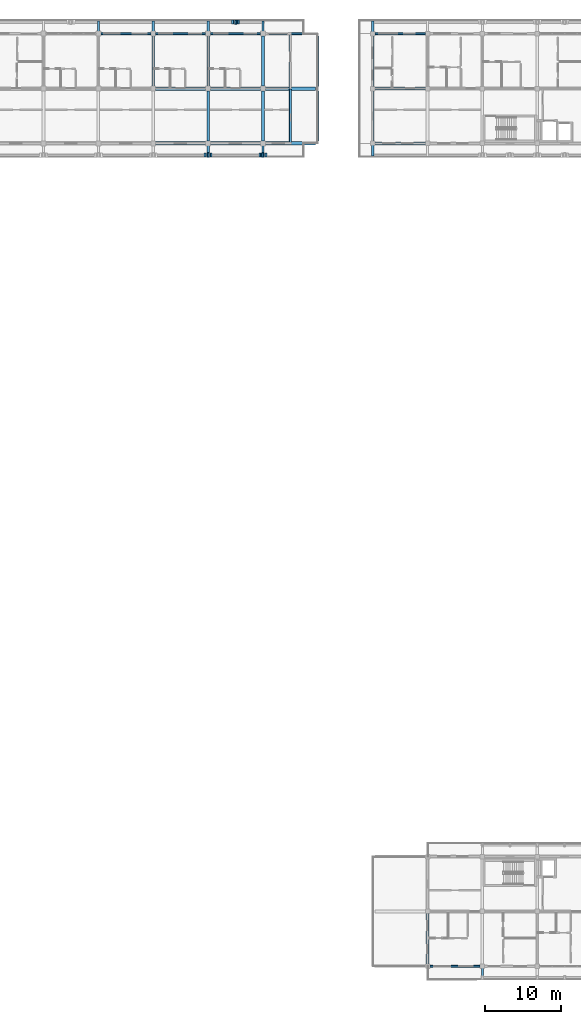
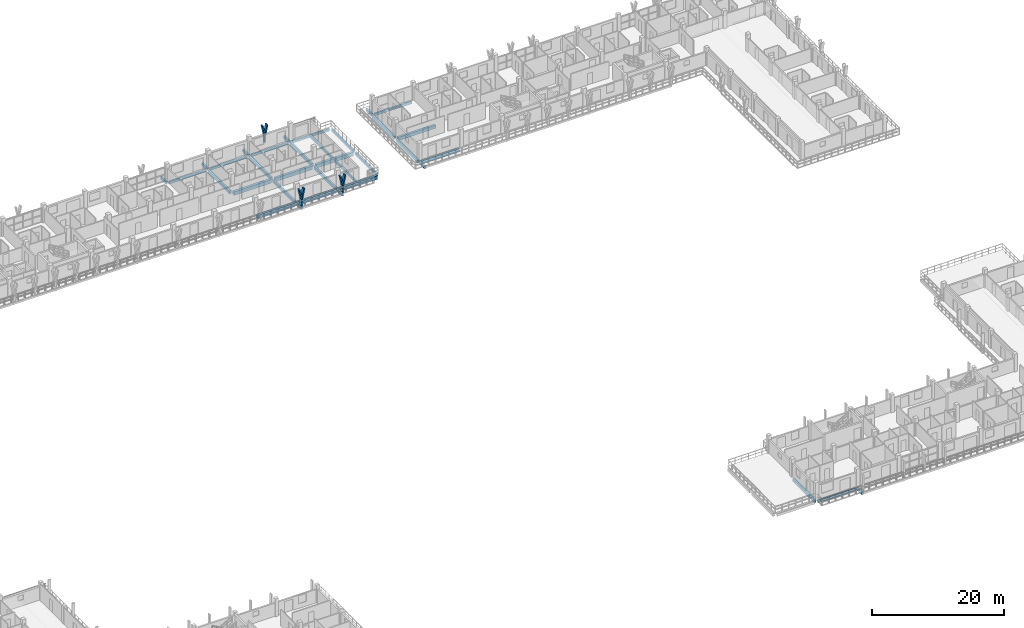
# One storey, part 21 of 75: 35 beams, 9 members.
"""IFC4 building model written with IfcOpenShell, lengths in metres."""

from ifc_helpers import new_model, si_unit, direction, frame, origin, origin_2d, place, context, subcontext, project, spatial, rectangle, extrude, material, material_profile, profile_set, type_object, element, save


model = new_model("IFC4")

# Units and contexts
model_context = context("Model", 3, precision=1e-05, world=origin(), true_north=direction((0.0, 1.0)))
body_context = subcontext(model_context, "Body", "Model", "MODEL_VIEW")
ifc_project = project(units=[si_unit("LENGTHUNIT", "METRE"), si_unit("AREAUNIT", "SQUARE_METRE"), si_unit("VOLUMEUNIT", "CUBIC_METRE"), si_unit("PLANEANGLEUNIT", "RADIAN"), si_unit("MASSUNIT", "GRAM", prefix="KILO")], contexts=[model_context])

# Site, building, storey
site_placement = place(None, origin())
site = spatial("IfcSite", under=ifc_project, at=site_placement, CompositionType="ELEMENT")
building_placement = place(site_placement, origin())
building = spatial("IfcBuilding", under=site, at=building_placement, Name="Suanplinth Sawtooth Commons", CompositionType="ELEMENT")
storey_placement = place(building_placement, frame((0.0, 0.0, 18.60009765625)))
storey = spatial("IfcBuildingStorey", under=building, at=storey_placement, Name="L05", CompositionType="ELEMENT", Elevation=18.60009765625)

# Beams
ifc_material_1 = material(Name="Precast concrete C40/50", Category="concrete")
ifc_material_profile_1 = material_profile(ifc_material_1, rectangle(XDim=0.449951171875, YDim=0.64990234375, at=origin_2d()), Name="PC-GDR 450x650")
ifc_profile_set_1 = profile_set([ifc_material_profile_1], Name="Precast concrete C40/50")
beam_type_1 = type_object("IfcBeamType", Name="B-04", PredefinedType="USERDEFINED", material=ifc_profile_set_1)
for number, where, z_axis, x_axis, name in (
    (1, (93.925048828125, 108.0, -0.5751953125), (1.0, 0.0, 0.0), (0.0, 1.0, 0.0), "BMX-L05-A-13-15"),
    (2, (93.925048828125, 115.199951171875, -0.5751953125), (1.0, 0.0, 0.0), (0.0, 1.0, 0.0), "BMX-L05-A-13-16"),
    (3, (101.125, 108.0, -0.5751953125), (1.0, 0.0, 0.0), (0.0, 1.0, 0.0), "BMX-L05-A-14-15"),
    (4, (101.125, 115.199951171875, -0.5751953125), (1.0, 0.0, 0.0), (0.0, 1.0, 0.0), "BMX-L05-A-14-16"),
    (5, (108.324951171875, 108.0, -0.5751953125), (1.0, 0.0, 0.0), (0.0, 1.0, 0.0), "BMX-L05-A-15-15"),
    (6, (108.324951171875, 115.199951171875, -0.5751953125), (1.0, 0.0, 0.0), (0.0, 1.0, 0.0), "BMX-L05-A-15-16"),
):
    element("IfcBeam", number, at=place(storey_placement, frame(where, z_axis=z_axis, x_axis=x_axis)), inside=storey, type_object=beam_type_1, Name=name, ObjectType="GIRDER", PredefinedType="USERDEFINED", context=body_context, shape_type="SweptSolid", body=[
        extrude(rectangle(XDim=0.449951171875, YDim=0.64990234375, at=origin_2d()), origin(), (0.0, 0.0, 1.0), 6.550048828125),
    ])
ifc_material_profile_2 = material_profile(ifc_material_1, rectangle(XDim=0.39990234375, YDim=0.60009765625, at=origin_2d()), Name="PC-GDR 400x600")
ifc_profile_set_2 = profile_set([ifc_material_profile_2], Name="Precast concrete C40/50")
beam_type_2 = type_object("IfcBeamType", Name="B-05", PredefinedType="USERDEFINED", material=ifc_profile_set_2)
for number, where, z_axis, x_axis, name in (
    (7, (122.699951171875, 108.0, -0.550048828125), (1.0, 0.0, 0.0), (0.0, 1.0, 0.0), "BMX-L05-B-17-15"),
    (8, (122.699951171875, 115.199951171875, -0.550048828125), (1.0, 0.0, 0.0), (0.0, 1.0, 0.0), "BMX-L05-B-17-16"),
):
    element("IfcBeam", number, at=place(storey_placement, frame(where, z_axis=z_axis, x_axis=x_axis)), inside=storey, type_object=beam_type_2, Name=name, ObjectType="GIRDER", PredefinedType="USERDEFINED", context=body_context, shape_type="SweptSolid", body=[
        extrude(rectangle(XDim=0.39990234375, YDim=0.60009765625, at=origin_2d()), origin(), (0.0, 0.0, 1.0), 6.60009765625),
    ])
ifc_material_profile_3 = material_profile(ifc_material_1, rectangle(XDim=0.35009765625, YDim=0.550048828125, at=origin_2d()), Name="PC-BM 350x550")
ifc_profile_set_3 = profile_set([ifc_material_profile_3], Name="Precast concrete C40/50")
beam_type_3 = type_object("IfcBeamType", Name="B-06", PredefinedType="BEAM", material=ifc_profile_set_3)
for number, where, z_axis, x_axis, name in (
    (9, (93.60009765625, 115.52490234375, -0.525146484375), (0.0, 1.0, 0.0), (-1.0, 0.0, 0.0), "BMY-L05-A-13-16"),
    (10, (100.800048828125, 108.324951171875, -0.525146484375), (0.0, 1.0, 0.0), (-1.0, 0.0, 0.0), "BMY-L05-A-14-15"),
    (11, (100.800048828125, 115.52490234375, -0.525146484375), (0.0, 1.0, 0.0), (-1.0, 0.0, 0.0), "BMY-L05-A-14-16"),
    (12, (108.0, 108.324951171875, -0.525146484375), (0.0, 1.0, 0.0), (-1.0, 0.0, 0.0), "BMY-L05-A-15-15"),
    (13, (108.0, 115.52490234375, -0.525146484375), (0.0, 1.0, 0.0), (-1.0, 0.0, 0.0), "BMY-L05-A-15-16"),
):
    element("IfcBeam", number, at=place(storey_placement, frame(where, z_axis=z_axis, x_axis=x_axis)), inside=storey, type_object=beam_type_3, Name=name, PredefinedType="BEAM", context=body_context, shape_type="SweptSolid", body=[
        extrude(rectangle(XDim=0.35009765625, YDim=0.550048828125, at=origin_2d()), origin(), (0.0, 0.0, 1.0), 6.550048828125),
    ])
beam_1_placement = place(storey_placement, frame((122.39990234375, 108.300048828125, -0.525146484375), z_axis=(0.0, 1.0, 0.0), x_axis=(-1.0, 0.0, 0.0)))
element("IfcBeam", 14, at=beam_1_placement, inside=storey, type_object=beam_type_3, Name="BMY-L05-B-17-15", PredefinedType="BEAM", context=body_context, shape_type="SweptSolid", body=[
    extrude(rectangle(XDim=0.35009765625, YDim=0.550048828125, at=origin_2d()), origin(), (0.0, 0.0, 1.0), 6.599853515625),
])
beam_2_placement = place(storey_placement, frame((122.39990234375, 115.5, -0.525146484375), z_axis=(0.0, 1.0, 0.0), x_axis=(-1.0, 0.0, 0.0)))
element("IfcBeam", 15, at=beam_2_placement, inside=storey, type_object=beam_type_3, Name="BMY-L05-B-17-16", PredefinedType="BEAM", context=body_context, shape_type="SweptSolid", body=[
    extrude(rectangle(XDim=0.35009765625, YDim=0.550048828125, at=origin_2d()), origin(), (0.0, 0.0, 1.0), 6.60009765625),
])
beam_3_placement = place(storey_placement, frame((129.60009765625, 0.300048828125, -0.525146484375), z_axis=(0.0, 1.0, 0.0), x_axis=(-1.0, 0.0, 0.0)))
element("IfcBeam", 16, at=beam_3_placement, inside=storey, type_object=beam_type_3, Name="BMY-L05-C-18-0", PredefinedType="BEAM", context=body_context, shape_type="SweptSolid", body=[
    extrude(rectangle(XDim=0.35009765625, YDim=0.550048828125, at=origin_2d()), origin(), (0.0, 0.0, 1.0), 6.599853515625),
])
ifc_material_profile_4 = material_profile(ifc_material_1, rectangle(XDim=0.300048828125, YDim=0.5, at=origin_2d()), Name="PC-BM 300x500")
ifc_profile_set_4 = profile_set([ifc_material_profile_4], Name="Precast concrete C40/50")
beam_type_4 = type_object("IfcBeamType", Name="B-07", PredefinedType="BEAM", material=ifc_profile_set_4)
for number, where, z_axis, x_axis, name in (
    (17, (86.39990234375, 122.39990234375, -0.43017578125), (0.0, 1.0, 0.0), (-1.0, 0.0, 0.0), "Balcony Outrigger L05-A-N-12"),
    (18, (93.60009765625, 122.39990234375, -0.43017578125), (0.0, 1.0, 0.0), (-1.0, 0.0, 0.0), "Balcony Outrigger L05-A-N-13"),
    (19, (100.800048828125, 122.39990234375, -0.43017578125), (0.0, 1.0, 0.0), (-1.0, 0.0, 0.0), "Balcony Outrigger L05-A-N-14"),
    (20, (108.0, 122.39990234375, -0.43017578125), (0.0, 1.0, 0.0), (-1.0, 0.0, 0.0), "Balcony Outrigger L05-A-N-15"),
):
    element("IfcBeam", number, at=place(storey_placement, frame(where, z_axis=z_axis, x_axis=x_axis)), inside=storey, type_object=beam_type_4, Name=name, PredefinedType="BEAM", context=body_context, shape_type="SweptSolid", body=[
        extrude(rectangle(XDim=0.300048828125, YDim=0.5, at=origin_2d()), origin(), (0.0, 0.0, 1.0), 1.64013671875),
    ])
for number, where, z_axis, x_axis, name in (
    (21, (100.800048828125, 108.0, -0.43017578125), (0.0, -1.0, 0.0), (1.0, 0.0, 0.0), "Balcony Outrigger L05-A-S-14"),
    (22, (108.0, 108.0, -0.43017578125), (0.0, -1.0, 0.0), (1.0, 0.0, 0.0), "Balcony Outrigger L05-A-S-15"),
):
    element("IfcBeam", number, at=place(storey_placement, frame(where, z_axis=z_axis, x_axis=x_axis)), inside=storey, type_object=beam_type_4, Name=name, PredefinedType="BEAM", context=body_context, shape_type="SweptSolid", body=[
        extrude(rectangle(XDim=0.300048828125, YDim=0.5, at=origin_2d()), origin(), (0.0, 0.0, 1.0), 1.639892578125),
    ])
beam_4_placement = place(storey_placement, frame((122.39990234375, 122.39990234375, -0.43017578125), z_axis=(0.0, 1.0, 0.0), x_axis=(-1.0, 0.0, 0.0)))
element("IfcBeam", 23, at=beam_4_placement, inside=storey, type_object=beam_type_4, Name="Balcony Outrigger L05-B-N-17", PredefinedType="BEAM", context=body_context, shape_type="SweptSolid", body=[
    extrude(rectangle(XDim=0.300048828125, YDim=0.5, at=origin_2d()), origin(), (0.0, 0.0, 1.0), 1.64013671875),
])
for number, where, z_axis, x_axis, name in (
    (24, (122.39990234375, 108.0, -0.425048828125), (0.0, -1.0, 0.0), (1.0, 0.0, 0.0), "Balcony Outrigger L05-B-SC-17"),
    (25, (136.800048828125, 0.0, -0.43017578125), (0.0, -1.0, 0.0), (1.0, 0.0, 0.0), "Balcony Outrigger L05-C-S-19"),
):
    element("IfcBeam", number, at=place(storey_placement, frame(where, z_axis=z_axis, x_axis=x_axis)), inside=storey, type_object=beam_type_4, Name=name, PredefinedType="BEAM", context=body_context, shape_type="SweptSolid", body=[
        extrude(rectangle(XDim=0.300048828125, YDim=0.5, at=origin_2d()), origin(), (0.0, 0.0, 1.0), 1.639892578125),
    ])
ifc_material_profile_5 = material_profile(ifc_material_1, rectangle(XDim=0.25, YDim=0.449951171875, at=origin_2d()), Name="PC-SP 250x450")
ifc_profile_set_5 = profile_set([ifc_material_profile_5], Name="Precast concrete C40/50")
beam_type_5 = type_object("IfcBeamType", Name="B-09", PredefinedType="SPANDREL", material=ifc_profile_set_5)
beam_5_placement = place(storey_placement, frame((86.72509765625, 122.39990234375, -0.47509765625), z_axis=(1.0, 0.0, 0.0), x_axis=(0.0, 1.0, 0.0)))
element("IfcBeam", 26, at=beam_5_placement, inside=storey, type_object=beam_type_5, Name="BMX-L05-A-12-17", PredefinedType="SPANDREL", context=body_context, shape_type="SweptSolid", body=[
    extrude(rectangle(XDim=0.25, YDim=0.449951171875, at=origin_2d()), origin(), (0.0, 0.0, 1.0), 6.5498046875),
])
for number, where, z_axis, x_axis, name in (
    (27, (93.925048828125, 122.39990234375, -0.47509765625), (1.0, 0.0, 0.0), (0.0, 1.0, 0.0), "BMX-L05-A-13-17"),
    (28, (101.125, 122.39990234375, -0.47509765625), (1.0, 0.0, 0.0), (0.0, 1.0, 0.0), "BMX-L05-A-14-17"),
    (29, (108.324951171875, 122.39990234375, -0.47509765625), (1.0, 0.0, 0.0), (0.0, 1.0, 0.0), "BMX-L05-A-15-17"),
    (30, (115.199951171875, 108.324951171875, -0.47509765625), (0.0, 1.0, 0.0), (-1.0, 0.0, 0.0), "BMY-L05-A-16-15"),
    (31, (115.199951171875, 115.52490234375, -0.47509765625), (0.0, 1.0, 0.0), (-1.0, 0.0, 0.0), "BMY-L05-A-16-16"),
):
    element("IfcBeam", number, at=place(storey_placement, frame(where, z_axis=z_axis, x_axis=x_axis)), inside=storey, type_object=beam_type_5, Name=name, PredefinedType="SPANDREL", context=body_context, shape_type="SweptSolid", body=[
        extrude(rectangle(XDim=0.25, YDim=0.449951171875, at=origin_2d()), origin(), (0.0, 0.0, 1.0), 6.550048828125),
    ])
beam_6_placement = place(storey_placement, frame((111.60009765625, 108.139892578125, -0.5751953125), z_axis=(0.0, 1.0, 0.0), x_axis=(-1.0, 0.0, 0.0)))
element("IfcBeam", 32, at=beam_6_placement, inside=storey, type_object=beam_type_5, Name="BMY-L05-A-STEP-1116-15", PredefinedType="SPANDREL", context=body_context, shape_type="SweptSolid", body=[
    extrude(rectangle(XDim=0.25, YDim=0.449951171875, at=origin_2d()), origin(), (0.0, 0.0, 1.0), 6.980224609375),
])
beam_7_placement = place(storey_placement, frame((111.60009765625, 115.340087890625, -0.5751953125), z_axis=(0.0, 1.0, 0.0), x_axis=(-1.0, 0.0, 0.0)))
element("IfcBeam", 33, at=beam_7_placement, inside=storey, type_object=beam_type_5, Name="BMY-L05-A-STEP-1116-16", PredefinedType="SPANDREL", context=body_context, shape_type="SweptSolid", body=[
    extrude(rectangle(XDim=0.25, YDim=0.449951171875, at=origin_2d()), origin(), (0.0, 0.0, 1.0), 6.97998046875),
])
for number, where, z_axis, x_axis, name in (
    (34, (122.699951171875, 122.39990234375, -0.47509765625), (1.0, 0.0, 0.0), (0.0, 1.0, 0.0), "BMX-L05-B-17-17"),
    (35, (129.89990234375, 0.0, -0.47509765625), (1.0, 0.0, 0.0), (0.0, 1.0, 0.0), "BMX-L05-C-18-0"),
):
    element("IfcBeam", number, at=place(storey_placement, frame(where, z_axis=z_axis, x_axis=x_axis)), inside=storey, type_object=beam_type_5, Name=name, PredefinedType="SPANDREL", context=body_context, shape_type="SweptSolid", body=[
        extrude(rectangle(XDim=0.25, YDim=0.449951171875, at=origin_2d()), origin(), (0.0, 0.0, 1.0), 6.60009765625),
    ])

# Members
ifc_material_2 = material(Name="Pigmented precast concrete C40/50", Category="concrete")
ifc_material_profile_6 = material_profile(ifc_material_2, rectangle(XDim=0.260009765625, YDim=0.550048828125, at=origin_2d()), Name="PC-FIN 260x550")
ifc_profile_set_6 = profile_set([ifc_material_profile_6], Name="Pigmented precast concrete C40/50")
member_type_1 = type_object("IfcMemberType", Name="M-09", PredefinedType="USERDEFINED", material=ifc_profile_set_6)
for number, where, z_axis, x_axis, name in (
    (36, (104.39990234375, 123.919921875, 0.0), (0.0, 0.0, 1.0), (1.0, 0.0, 0.0), "Y-Blade Stem L05-A-N-05"),
    (37, (100.800048828125, 106.47998046875, 0.0), (0.0, 0.0, 1.0), (1.0, 0.0, 0.0), "Y-Blade Stem L05-A-S-23"),
    (38, (108.0, 106.47998046875, 0.0), (0.0, 0.0, 1.0), (1.0, 0.0, 0.0), "Y-Blade Stem L05-A-S-24"),
):
    element("IfcMember", number, at=place(storey_placement, frame(where, z_axis=z_axis, x_axis=x_axis)), inside=storey, type_object=member_type_1, Name=name, ObjectType="SHADING FIN", PredefinedType="USERDEFINED", context=body_context, shape_type="SweptSolid", body=[
        extrude(rectangle(XDim=0.260009765625, YDim=0.550048828125, at=origin_2d()), origin(), (0.0, 0.0, 1.0), 1.169921875),
    ])
ifc_material_profile_7 = material_profile(ifc_material_2, rectangle(XDim=0.219970703125, YDim=0.550048828125, at=origin_2d()), Name="PC-FIN 220x550")
ifc_profile_set_7 = profile_set([ifc_material_profile_7], Name="Pigmented precast concrete C40/50")
member_type_2 = type_object("IfcMemberType", Name="M-10", PredefinedType="USERDEFINED", material=ifc_profile_set_7)
for number, where, z_axis, x_axis, name in (
    (39, (104.39990234375, 123.919921875, 1.1298828125), (-0.196415357203, 0.0, 0.980520783795), (0.980520783795, 0.0, 0.196415357203), "Y-Blade Arm L L05-A-N-05"),
    (40, (104.39990234375, 123.919921875, 1.1298828125), (0.196530428008, 0.0, 0.98049772609), (-0.98049772609, 0.0, 0.196530428008), "Y-Blade Arm R L05-A-N-05"),
    (41, (100.800048828125, 106.47998046875, 1.1298828125), (-0.196530428008, 0.0, 0.98049772609), (0.98049772609, 0.0, 0.196530428008), "Y-Blade Arm L L05-A-S-23"),
    (42, (100.800048828125, 106.47998046875, 1.1298828125), (0.196415357203, 0.0, 0.980520783795), (-0.980520783795, 0.0, 0.196415357203), "Y-Blade Arm R L05-A-S-23"),
    (43, (108.0, 106.47998046875, 1.1298828125), (-0.196530428008, 0.0, 0.98049772609), (0.98049772609, 0.0, 0.196530428008), "Y-Blade Arm L L05-A-S-24"),
    (44, (108.0, 106.47998046875, 1.1298828125), (0.196530428008, 0.0, 0.98049772609), (-0.98049772609, 0.0, 0.196530428008), "Y-Blade Arm R L05-A-S-24"),
):
    element("IfcMember", number, at=place(storey_placement, frame(where, z_axis=z_axis, x_axis=x_axis)), inside=storey, type_object=member_type_2, Name=name, ObjectType="SHADING FIN", PredefinedType="USERDEFINED", context=body_context, shape_type="SweptSolid", body=[
        extrude(rectangle(XDim=0.219970703125, YDim=0.550048828125, at=origin_2d()), origin(), (0.0, 0.0, 1.0), 2.039794921875),
    ])

save(model, "model.ifc")
